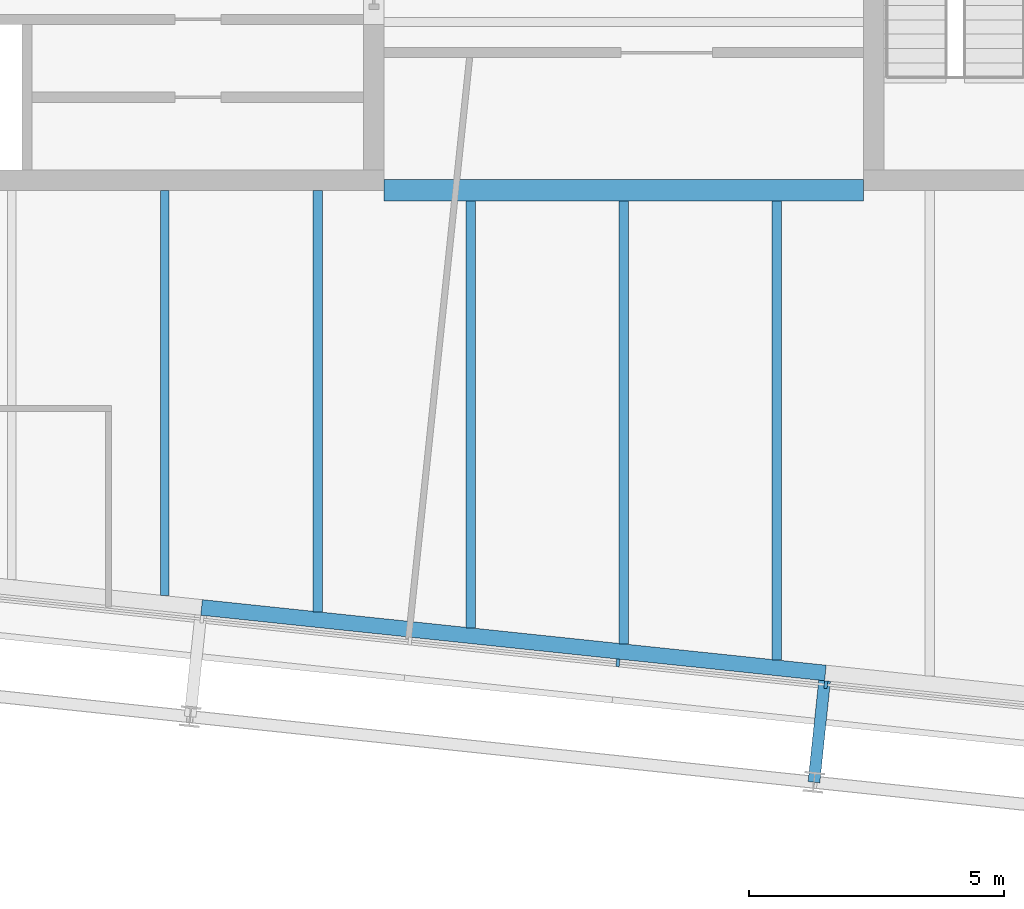
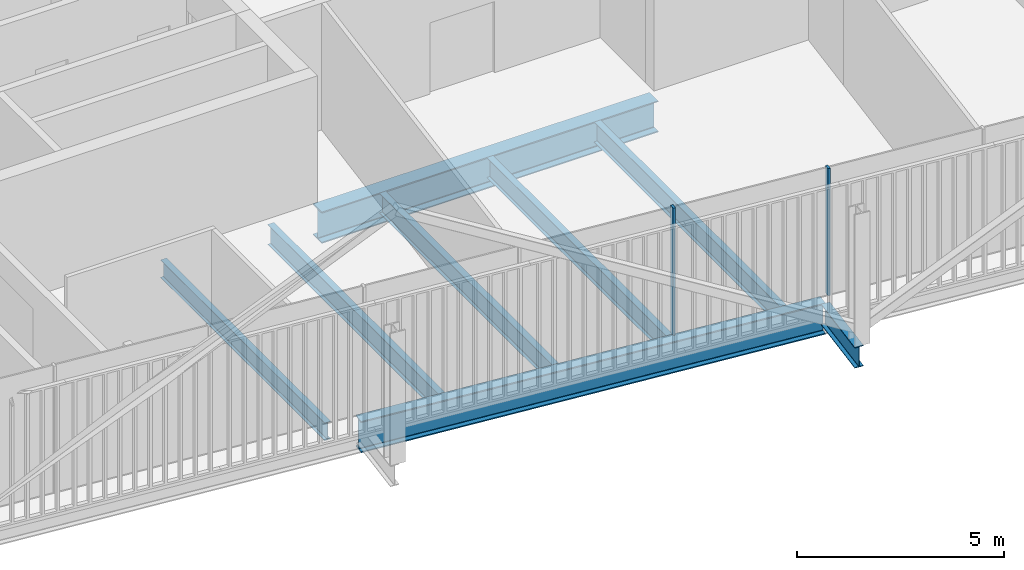
# One storey, part 5 of 21: 8 beams, 2 members, 1 element without a shape of its own.
"""IFC4 building model written with IfcOpenShell, lengths in metres."""

from ifc_helpers import new_model, si_unit, direction, frame, origin, origin_2d, place, context, subcontext, project, spatial, rectangle, i_section, extrude, material, layer, layer_set, material_profile, profile_set, type_object, element, aggregate, save


model = new_model("IFC4")

# Units and contexts
model_context = context("Model", 3, precision=1e-05, world=origin(), true_north=direction((0.0, 1.0)))
body_context = subcontext(model_context, "Body", "Model", "MODEL_VIEW")
ifc_project = project(units=[si_unit("LENGTHUNIT", "METRE"), si_unit("AREAUNIT", "SQUARE_METRE"), si_unit("VOLUMEUNIT", "CUBIC_METRE"), si_unit("PLANEANGLEUNIT", "RADIAN"), si_unit("MASSUNIT", "GRAM", prefix="KILO")], contexts=[model_context])

# Site, building, storey
site_placement = place(None, origin())
site = spatial("IfcSite", under=ifc_project, at=site_placement, CompositionType="ELEMENT")
building_placement = place(site_placement, origin())
building = spatial("IfcBuilding", under=site, at=building_placement, Name="Millrace Tower", CompositionType="ELEMENT")
storey_placement = place(building_placement, frame((0.0, 0.0, 299.39990234375)))
storey = spatial("IfcBuildingStorey", under=building, at=storey_placement, Name="L69", CompositionType="ELEMENT", Elevation=299.39990234375)

# Curtain wall, members
ifc_material_1 = material(Name="Aluminium and glass", Category="aluminium")
ifc_layer = layer(ifc_material_1, 0.14990234375)
ifc_layer_set = layer_set([ifc_layer], Name="Aluminium and glass")
curtain_wall_type = type_object("IfcCurtainWallType", Name="CW-1 office vision curtain wall", PredefinedType="NOTDEFINED", material=ifc_layer_set)
curtain_wall_placement = place(storey_placement, origin())
curtain_wall = element("IfcCurtainWall", 1, at=curtain_wall_placement, inside=storey, type_object=curtain_wall_type, Name="Curtain wall E-F02 L69", PredefinedType="NOTDEFINED")
ifc_material_2 = material(Name="Aluminium", Category="aluminium")
ifc_material_profile_1 = material_profile(ifc_material_2, rectangle(XDim=0.06494140625, YDim=0.14990234375, at=origin_2d()))
ifc_profile_set_1 = profile_set([ifc_material_profile_1], Name="Aluminium")
member_type = type_object("IfcMemberType", Name="CW-1 office vision curtain wall mullion", PredefinedType="MULLION", material=ifc_profile_set_1)
member_1_placement = place(storey_placement, frame((-0.11474609375, -18.567626953125, 0.14013671875), z_axis=(0.0, 0.0, 1.0), x_axis=(0.994521896217, -0.104528455196, 0.0)))
member_1 = element("IfcMember", 2, at=member_1_placement, type_object=member_type, Name="CW1 mullion E-F02.6", PredefinedType="MULLION", context=body_context, shape_type="SweptSolid", body=[
    extrude(rectangle(XDim=0.06494140625, YDim=0.14990234375, at=origin_2d()), origin(), (0.0, 0.0, 1.0), 3.760009765625),
])
member_2_placement = place(storey_placement, frame((3.962890625, -18.99609375, 0.14013671875), z_axis=(0.0, 0.0, 1.0), x_axis=(0.994521896217, -0.104528455196, 0.0)))
member_2 = element("IfcMember", 3, at=member_2_placement, type_object=member_type, Name="CW1 mullion E-F02.7", PredefinedType="MULLION", context=body_context, shape_type="SweptSolid", body=[
    extrude(rectangle(XDim=0.06494140625, YDim=0.14990234375, at=origin_2d()), origin(), (0.0, 0.0, 1.0), 3.760009765625),
])
aggregate(curtain_wall, [member_1, member_2])

# Beams
ifc_material_3 = material(Name="Steel ASTM A992 Grade 50", Category="steel")
ifc_material_profile_2 = material_profile(ifc_material_3, i_section(OverallWidth=0.1650390625, OverallDepth=0.52587890625, WebThickness=0.0087890625, FlangeThickness=0.011474609375, FilletRadius=0.0126953125, at=origin_2d()))
ifc_profile_set_2 = profile_set([ifc_material_profile_2], Name="Steel ASTM A992 Grade 50")
beam_type_1 = type_object("IfcBeamType", Name="Floor beam W21x44", PredefinedType="JOIST", material=ifc_profile_set_2)
beam_1_placement = place(storey_placement, frame((-9.0, -17.249267578125, -0.4228515625), z_axis=(0.0, 1.0, 0.0), x_axis=(-1.0, 0.0, 0.0)))
element("IfcBeam", 4, at=beam_1_placement, inside=storey, type_object=beam_type_1, Name="BM-E-L69-S1-S039", PredefinedType="JOIST", context=body_context, shape_type="SweptSolid", body=[
    extrude(i_section(OverallWidth=0.1650390625, OverallDepth=0.52587890625, WebThickness=0.0087890625, FlangeThickness=0.011474609375, FilletRadius=0.0126953125, at=origin_2d()), origin(), (0.0, 0.0, 1.0), 7.94921875),
])
ifc_material_4 = material(Name="Steel ASTM A992 Grade 50", Category="steel")
ifc_material_profile_3 = material_profile(ifc_material_4, i_section(OverallWidth=0.177978515625, OverallDepth=0.599365234375, WebThickness=0.010009765625, FlangeThickness=0.012939453125, FilletRadius=0.012939453125, at=origin_2d()))
ifc_profile_set_3 = profile_set([ifc_material_profile_3], Name="Steel ASTM A992 Grade 50")
beam_type_2 = type_object("IfcBeamType", Name="Floor beam W24x55", PredefinedType="JOIST", material=ifc_profile_set_3)
beam_2_placement = place(storey_placement, frame((-6.0, -17.564697265625, -0.459716796875), z_axis=(0.0, 1.0, 0.0), x_axis=(-1.0, 0.0, 0.0)))
element("IfcBeam", 5, at=beam_2_placement, inside=storey, type_object=beam_type_2, Name="BM-E-L69-S1-S041", PredefinedType="JOIST", context=body_context, shape_type="SweptSolid", body=[
    extrude(i_section(OverallWidth=0.177978515625, OverallDepth=0.599365234375, WebThickness=0.010009765625, FlangeThickness=0.012939453125, FilletRadius=0.012939453125, at=origin_2d()), origin(), (0.0, 0.0, 1.0), 8.2646484375),
])
beam_3_placement = place(storey_placement, frame((-3.0, -17.8798828125, -0.459716796875), z_axis=(0.0, 1.0, 0.0), x_axis=(-1.0, 0.0, 0.0)))
element("IfcBeam", 6, at=beam_3_placement, inside=storey, type_object=beam_type_2, Name="BM-E-L69-S1-S043", PredefinedType="JOIST", context=body_context, shape_type="SweptSolid", body=[
    extrude(i_section(OverallWidth=0.177978515625, OverallDepth=0.599365234375, WebThickness=0.010009765625, FlangeThickness=0.012939453125, FilletRadius=0.012939453125, at=origin_2d()), origin(), (0.0, 0.0, 1.0), 8.370361328125),
])
beam_4_placement = place(storey_placement, frame((0.0, -18.1953125, -0.459716796875), z_axis=(0.0, 1.0, 0.0), x_axis=(-1.0, 0.0, 0.0)))
element("IfcBeam", 7, at=beam_4_placement, inside=storey, type_object=beam_type_2, Name="BM-E-L69-S1-S045", PredefinedType="JOIST", context=body_context, shape_type="SweptSolid", body=[
    extrude(i_section(OverallWidth=0.177978515625, OverallDepth=0.599365234375, WebThickness=0.010009765625, FlangeThickness=0.012939453125, FilletRadius=0.012939453125, at=origin_2d()), origin(), (0.0, 0.0, 1.0), 8.685791015625),
])
beam_5_placement = place(storey_placement, frame((3.0, -18.510498046875, -0.459716796875), z_axis=(0.0, 1.0, 0.0), x_axis=(-1.0, 0.0, 0.0)))
element("IfcBeam", 8, at=beam_5_placement, inside=storey, type_object=beam_type_2, Name="BM-E-L69-S1-S047", PredefinedType="JOIST", context=body_context, shape_type="SweptSolid", body=[
    extrude(i_section(OverallWidth=0.177978515625, OverallDepth=0.599365234375, WebThickness=0.010009765625, FlangeThickness=0.012939453125, FilletRadius=0.012939453125, at=origin_2d()), origin(), (0.0, 0.0, 1.0), 9.0009765625),
])
ifc_material_5 = material(Name="Steel ASTM A992 Grade 50", Category="steel")
ifc_material_profile_4 = material_profile(ifc_material_5, i_section(OverallWidth=0.419189453125, OverallDepth=0.927001953125, WebThickness=0.019287109375, FlangeThickness=0.031982421875, FilletRadius=0.024169921875, at=origin_2d()))
ifc_profile_set_4 = profile_set([ifc_material_profile_4], Name="Steel ASTM A992 Grade 50")
beam_type_3 = type_object("IfcBeamType", Name="Girder short span W36x231", PredefinedType="BEAM", material=ifc_profile_set_4)
beam_6_placement = place(storey_placement, frame((-4.699951171875, -9.300048828125, -0.62353515625), z_axis=(1.0, 0.0, 0.0), x_axis=(0.0, 1.0, 0.0)))
element("IfcBeam", 9, at=beam_6_placement, inside=storey, type_object=beam_type_3, Name="BM-E-L69-S1-G059", PredefinedType="BEAM", context=body_context, shape_type="SweptSolid", body=[
    extrude(i_section(OverallWidth=0.419189453125, OverallDepth=0.927001953125, WebThickness=0.019287109375, FlangeThickness=0.031982421875, FilletRadius=0.024169921875, at=origin_2d()), origin(), (0.0, 0.0, 1.0), 9.39990234375),
])
ifc_material_6 = material(Name="Steel ASTM A992 Grade 50", Category="steel")
ifc_material_profile_5 = material_profile(ifc_material_6, i_section(OverallWidth=0.23046875, OverallDepth=0.6171875, WebThickness=0.01318359375, FlangeThickness=0.022216796875, FilletRadius=0.012939453125, at=origin_2d()))
ifc_profile_set_5 = profile_set([ifc_material_profile_5], Name="Steel ASTM A992 Grade 50")
beam_type_4 = type_object("IfcBeamType", Name="Link beam W24x94", PredefinedType="BEAM", material=ifc_profile_set_5)
beam_7_placement = place(storey_placement, frame((3.938232421875, -18.918212890625, -0.468505859375), z_axis=(-0.104494148666, -0.99452550138, 0.0), x_axis=(0.99452550138, -0.104494148666, 0.0)))
element("IfcBeam", 10, at=beam_7_placement, inside=storey, type_object=beam_type_4, Name="LNK-E-L69-S1-14", PredefinedType="BEAM", context=body_context, shape_type="SweptSolid", body=[
    extrude(i_section(OverallWidth=0.23046875, OverallDepth=0.6171875, WebThickness=0.01318359375, FlangeThickness=0.022216796875, FilletRadius=0.012939453125, at=origin_2d()), origin(), (0.0, 0.0, 1.0), 2.0),
])
ifc_material_7 = material(Name="Steel ASTM A992 Grade 50", Category="steel")
ifc_material_profile_6 = material_profile(ifc_material_7, i_section(OverallWidth=0.307373046875, OverallDepth=0.927001953125, WebThickness=0.01953125, FlangeThickness=0.031982421875, FilletRadius=0.01904296875, at=origin_2d()))
ifc_profile_set_6 = profile_set([ifc_material_profile_6], Name="Steel ASTM A992 Grade 50")
beam_type_5 = type_object("IfcBeamType", Name="Ring beam medium span W36x194", PredefinedType="SPANDREL", material=ifc_profile_set_6)
beam_8_placement = place(storey_placement, frame((3.954345703125, -18.765380859375, -0.62353515625), z_axis=(-0.994522406476, 0.104523600289, 0.0), x_axis=(-0.104523600289, -0.994522406476, 0.0)))
element("IfcBeam", 11, at=beam_8_placement, inside=storey, type_object=beam_type_5, Name="RNG-E-L69-S1-14", PredefinedType="SPANDREL", context=body_context, shape_type="SweptSolid", body=[
    extrude(i_section(OverallWidth=0.307373046875, OverallDepth=0.927001953125, WebThickness=0.01953125, FlangeThickness=0.031982421875, FilletRadius=0.01904296875, at=origin_2d()), origin(), (0.0, 0.0, 1.0), 12.300048828125),
])

save(model, "model.ifc")
